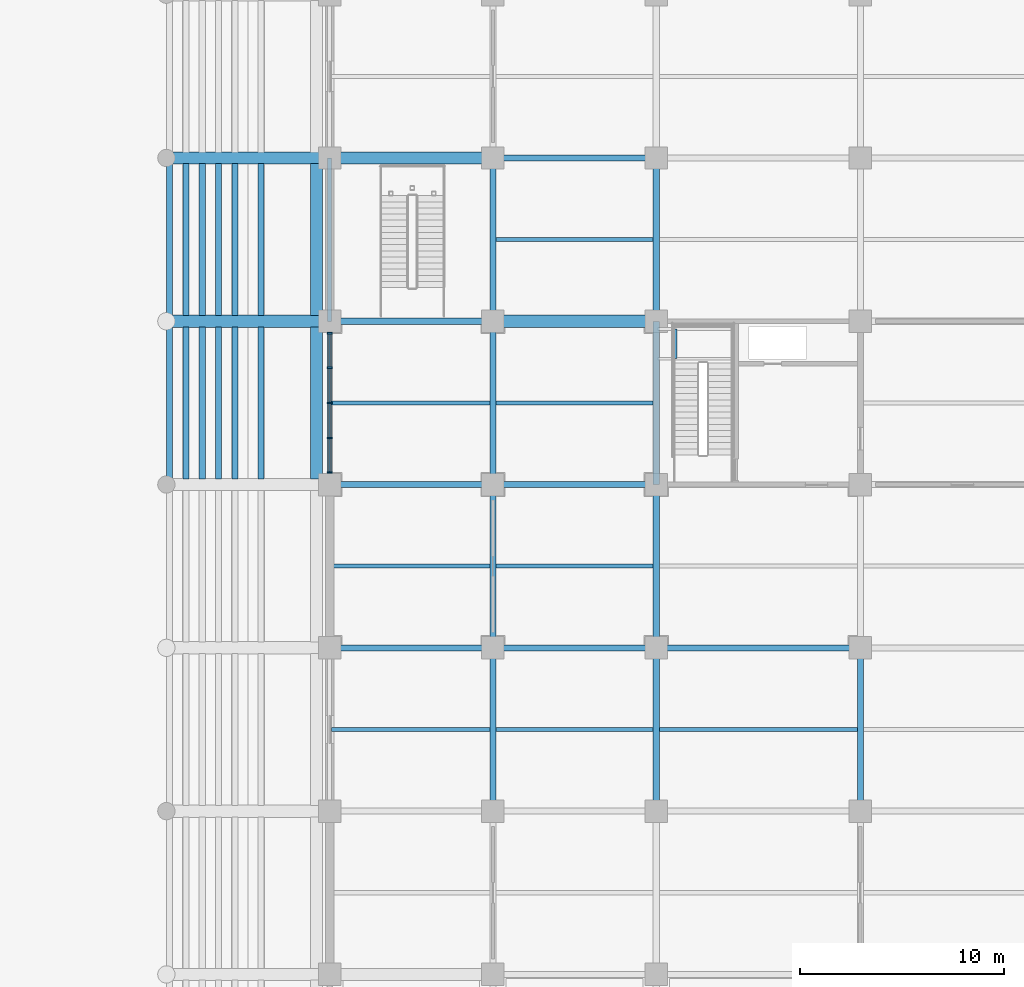
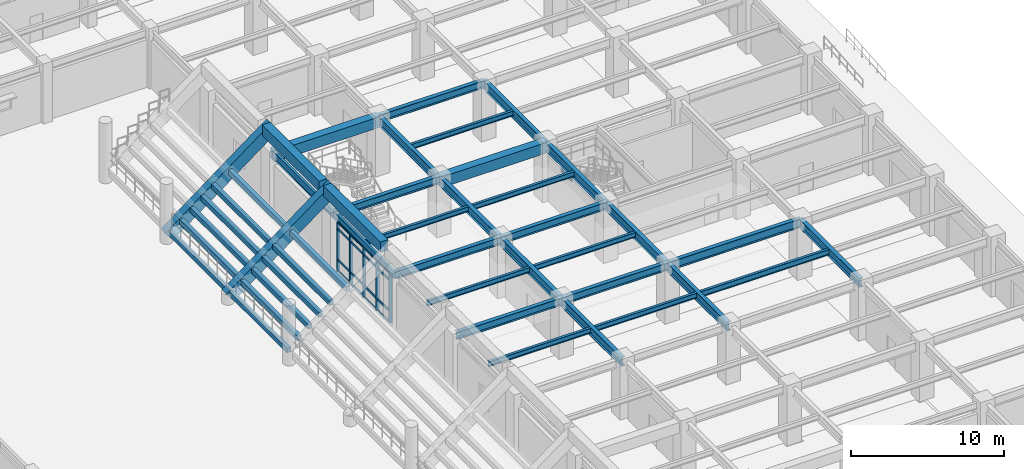
# One storey, part 41 of 125: 45 beams, 21 members, 1 element without a shape of its own.
"""IFC4 building model written with IfcOpenShell, lengths in metres."""

from ifc_helpers import new_model, si_unit, direction, frame, origin, origin_2d, place, context, subcontext, project, spatial, rectangle, i_section, extrude, material, layer, layer_set, material_profile, profile_set, type_object, element, aggregate, save


model = new_model("IFC4")

# Units and contexts
model_context = context("Model", 3, precision=1e-05, world=origin(), true_north=direction((0.0, 1.0)))
body_context = subcontext(model_context, "Body", "Model", "MODEL_VIEW")
ifc_project = project(units=[si_unit("LENGTHUNIT", "METRE"), si_unit("AREAUNIT", "SQUARE_METRE"), si_unit("VOLUMEUNIT", "CUBIC_METRE"), si_unit("PLANEANGLEUNIT", "RADIAN"), si_unit("MASSUNIT", "GRAM", prefix="KILO")], contexts=[model_context])

# Site, building, storey
site_placement = place(None, origin())
site = spatial("IfcSite", under=ifc_project, at=site_placement, CompositionType="ELEMENT")
building_placement = place(site_placement, origin())
building = spatial("IfcBuilding", under=site, at=building_placement, Name="Haebicheon Civic Stadium", CompositionType="ELEMENT")
storey_placement = place(building_placement, origin())
storey = spatial("IfcBuildingStorey", under=building, at=storey_placement, Name="L01", CompositionType="ELEMENT", Elevation=0.0)

# Beams
ifc_material_1 = material(Name="Precast concrete C40/50", Category="concrete")
ifc_material_profile_1 = material_profile(ifc_material_1, rectangle(XDim=0.300048828125, YDim=0.39990234375, at=origin_2d()), Name="PC-LN-300x400")
ifc_profile_set_1 = profile_set([ifc_material_profile_1], Name="Precast concrete C40/50")
beam_type_1 = type_object("IfcBeamType", Name="BM-LN-300x400", PredefinedType="LINTEL", material=ifc_profile_set_1)
for number, where, z_axis, x_axis, name in (
    (1, (192.159912109375, 104.280029296875, 0.760009765625), (0.0, 1.0, 0.0), (-1.0, 0.0, 0.0), "TIER-C-L precast step carrier beam 7.1"),
    (2, (192.9599609375, 104.280029296875, 1.427001953125), (0.0, 1.0, 0.0), (-1.0, 0.0, 0.0), "TIER-C-L precast step carrier beam 7.2"),
    (3, (193.760009765625, 104.280029296875, 2.093017578125), (0.0, 1.0, 0.0), (-1.0, 0.0, 0.0), "TIER-C-L precast step carrier beam 7.3"),
    (4, (194.56005859375, 104.280029296875, 2.760009765625), (0.0, 1.0, 0.0), (-1.0, 0.0, 0.0), "TIER-C-L precast step carrier beam 7.4"),
    (5, (195.360107421875, 104.280029296875, 3.427001953125), (0.0, 1.0, 0.0), (-1.0, 0.0, 0.0), "TIER-C-L precast step carrier beam 7.5"),
    (6, (196.639892578125, 104.280029296875, 4.093017578125), (0.0, 1.0, 0.0), (-1.0, 0.0, 0.0), "TIER-C-L precast step carrier beam 7.6"),
    (7, (192.159912109375, 112.280029296875, 0.760009765625), (0.0, 1.0, 0.0), (-1.0, 0.0, 0.0), "TIER-C-L precast step carrier beam 8.1"),
    (8, (192.9599609375, 112.280029296875, 1.427001953125), (0.0, 1.0, 0.0), (-1.0, 0.0, 0.0), "TIER-C-L precast step carrier beam 8.2"),
    (9, (193.760009765625, 112.280029296875, 2.093017578125), (0.0, 1.0, 0.0), (-1.0, 0.0, 0.0), "TIER-C-L precast step carrier beam 8.3"),
    (10, (194.56005859375, 112.280029296875, 2.760009765625), (0.0, 1.0, 0.0), (-1.0, 0.0, 0.0), "TIER-C-L precast step carrier beam 8.4"),
    (11, (195.360107421875, 112.280029296875, 3.427001953125), (0.0, 1.0, 0.0), (-1.0, 0.0, 0.0), "TIER-C-L precast step carrier beam 8.5"),
    (12, (196.639892578125, 112.280029296875, 4.093017578125), (0.0, 1.0, 0.0), (-1.0, 0.0, 0.0), "TIER-C-L precast step carrier beam 8.6"),
):
    element("IfcBeam", number, at=place(storey_placement, frame(where, z_axis=z_axis, x_axis=x_axis)), inside=storey, type_object=beam_type_1, material=ifc_profile_set_1, Name=name, PredefinedType="LINTEL", context=body_context, shape_type="SweptSolid", body=[
        extrude(rectangle(XDim=0.300048828125, YDim=0.39990234375, at=origin_2d()), origin(), (0.0, 0.0, 1.0), 7.43994140625),
    ])
ifc_material_2 = material(Name="Steel SM355 (S355)", Category="steel")
ifc_material_profile_2 = material_profile(ifc_material_2, i_section(OverallWidth=0.300048828125, OverallDepth=0.60009765625, WebThickness=0.011962890625, FlangeThickness=0.02001953125, at=origin_2d()), Name="H-600x300x12x20")
ifc_profile_set_2 = profile_set([ifc_material_profile_2], Name="Steel SM355 (S355)")
beam_type_2 = type_object("IfcBeamType", Name="BM-ST-H600A", PredefinedType="BEAM", material=ifc_profile_set_2)
for number, where, z_axis, x_axis, name in (
    (13, (200.0, 96.0, 4.219970703125), (1.0, 0.0, 0.0), (0.0, 1.0, 0.0), "L01 beam N/26-27"),
    (14, (200.0, 104.0, 4.219970703125), (1.0, 0.0, 0.0), (0.0, 1.0, 0.0), "L01 beam P/26-27"),
    (15, (200.0, 112.0, 4.219970703125), (1.0, 0.0, 0.0), (0.0, 1.0, 0.0), "L01 beam Q/26-27"),
    (16, (208.0, 96.0, 4.219970703125), (1.0, 0.0, 0.0), (0.0, 1.0, 0.0), "L01 beam N/27-28"),
    (17, (208.0, 104.0, 4.219970703125), (1.0, 0.0, 0.0), (0.0, 1.0, 0.0), "L01 beam P/27-28"),
    (18, (208.0, 120.0, 4.219970703125), (1.0, 0.0, 0.0), (0.0, 1.0, 0.0), "L01 beam R/27-28"),
):
    element("IfcBeam", number, at=place(storey_placement, frame(where, z_axis=z_axis, x_axis=x_axis)), inside=storey, type_object=beam_type_2, material=ifc_profile_set_2, Name=name, PredefinedType="BEAM", context=body_context, shape_type="SweptSolid", body=[
        extrude(i_section(OverallWidth=0.300048828125, OverallDepth=0.60009765625, WebThickness=0.011962890625, FlangeThickness=0.02001953125, at=origin_2d()), origin(), (0.0, 0.0, 1.0), 8.0),
    ])
ifc_material_3 = material(Name="Steel SM490", Category="steel")
ifc_material_profile_3 = material_profile(ifc_material_3, i_section(OverallWidth=0.300048828125, OverallDepth=0.699951171875, WebThickness=0.012939453125, FlangeThickness=0.02392578125, at=origin_2d()), Name="H-700x300x13x24")
ifc_profile_set_3 = profile_set([ifc_material_profile_3], Name="Steel SM490")
beam_type_3 = type_object("IfcBeamType", Name="BM-ST-H700", PredefinedType="BEAM", material=ifc_profile_set_3)
for number, where, z_axis, x_axis, name in (
    (19, (208.0, 88.0, 4.169921875), (0.0, 1.0, 0.0), (-1.0, 0.0, 0.0), "L01 girder 27/M-N"),
    (20, (208.0, 96.0, 4.169921875), (0.0, 1.0, 0.0), (-1.0, 0.0, 0.0), "L01 girder 27/N-P"),
    (21, (208.0, 104.0, 4.169921875), (0.0, 1.0, 0.0), (-1.0, 0.0, 0.0), "L01 girder 27/P-Q"),
    (22, (208.0, 112.0, 4.169921875), (0.0, 1.0, 0.0), (-1.0, 0.0, 0.0), "L01 girder 27/Q-R"),
    (23, (216.0, 88.0, 4.169921875), (0.0, 1.0, 0.0), (-1.0, 0.0, 0.0), "L01 girder 28/M-N"),
    (24, (216.0, 96.0, 4.169921875), (0.0, 1.0, 0.0), (-1.0, 0.0, 0.0), "L01 girder 28/N-P"),
    (25, (216.0, 104.0, 4.169921875), (0.0, 1.0, 0.0), (-1.0, 0.0, 0.0), "L01 girder 28/P-Q"),
    (26, (216.0, 112.0, 4.169921875), (0.0, 1.0, 0.0), (-1.0, 0.0, 0.0), "L01 girder 28/Q-R"),
    (27, (226.0, 88.0, 4.169921875), (0.0, 1.0, 0.0), (-1.0, 0.0, 0.0), "L01 girder 29/M-N"),
):
    element("IfcBeam", number, at=place(storey_placement, frame(where, z_axis=z_axis, x_axis=x_axis)), inside=storey, type_object=beam_type_3, material=ifc_profile_set_3, Name=name, PredefinedType="BEAM", context=body_context, shape_type="SweptSolid", body=[
        extrude(i_section(OverallWidth=0.300048828125, OverallDepth=0.699951171875, WebThickness=0.012939453125, FlangeThickness=0.02392578125, at=origin_2d()), origin(), (0.0, 0.0, 1.0), 8.0),
    ])
beam_1_placement = place(storey_placement, frame((216.0, 96.0, 4.169921875), z_axis=(1.0, 0.0, 0.0), x_axis=(0.0, 1.0, 0.0)))
element("IfcBeam", 28, at=beam_1_placement, inside=storey, type_object=beam_type_3, material=ifc_profile_set_3, Name="L01 beam N/28-29", PredefinedType="BEAM", context=body_context, shape_type="SweptSolid", body=[
    extrude(i_section(OverallWidth=0.300048828125, OverallDepth=0.699951171875, WebThickness=0.012939453125, FlangeThickness=0.02392578125, at=origin_2d()), origin(), (0.0, 0.0, 1.0), 10.0),
])
ifc_material_4 = material(Name="Precast concrete C40/50", Category="concrete")
ifc_material_profile_4 = material_profile(ifc_material_4, rectangle(XDim=0.60009765625, YDim=0.85009765625, at=origin_2d()), Name="PC-TB-600x850")
ifc_profile_set_4 = profile_set([ifc_material_profile_4], Name="Precast concrete C40/50")
beam_type_4 = type_object("IfcBeamType", Name="BM-TB-600x850", PredefinedType="T_BEAM", material=ifc_profile_set_4)
for number, where, z_axis, x_axis, name in (
    (29, (200.0, 120.0, 4.094970703125), (1.0, 0.0, 0.0), (0.0, 1.0, 0.0), "L01 beam R/26-27"),
    (30, (208.0, 112.0, 4.094970703125), (1.0, 0.0, 0.0), (0.0, 1.0, 0.0), "L01 beam Q/27-28"),
):
    element("IfcBeam", number, at=place(storey_placement, frame(where, z_axis=z_axis, x_axis=x_axis)), inside=storey, type_object=beam_type_4, material=ifc_profile_set_4, Name=name, PredefinedType="T_BEAM", context=body_context, shape_type="SweptSolid", body=[
        extrude(rectangle(XDim=0.60009765625, YDim=0.85009765625, at=origin_2d()), origin(), (0.0, 0.0, 1.0), 8.0),
    ])
for number, where, z_axis, x_axis, name in (
    (31, (199.360107421875, 104.280029296875, 6.534912109375), (0.0, 1.0, 0.0), (-1.0, 0.0, 0.0), "TIER-C-L upper tier bench carrier beam 7"),
    (32, (199.360107421875, 112.280029296875, 6.534912109375), (0.0, 1.0, 0.0), (-1.0, 0.0, 0.0), "TIER-C-L upper tier bench carrier beam 8"),
):
    element("IfcBeam", number, at=place(storey_placement, frame(where, z_axis=z_axis, x_axis=x_axis)), inside=storey, type_object=beam_type_4, material=ifc_profile_set_4, Name=name, PredefinedType="T_BEAM", context=body_context, shape_type="SweptSolid", body=[
        extrude(rectangle(XDim=0.60009765625, YDim=0.85009765625, at=origin_2d()), origin(), (0.0, 0.0, 1.0), 7.43994140625),
    ])

# Curtain wall, members
ifc_material_5 = material(Name="Anodised aluminium and laminated glass", Category="aluminium")
ifc_layer = layer(ifc_material_5, 0.179931640625, Name="Anodised aluminium and laminated glass")
ifc_layer_set = layer_set([ifc_layer], Name="Anodised aluminium and laminated glass")
curtain_wall_type = type_object("IfcCurtainWallType", Name="CW-6900x3910", PredefinedType="NOTDEFINED", material=ifc_layer_set)
curtain_wall_placement = place(storey_placement, origin())
curtain_wall = element("IfcCurtainWall", 33, at=curtain_wall_placement, inside=storey, type_object=curtain_wall_type, material=ifc_layer_set, Name="L01 unitised curtain wall 026", PredefinedType="NOTDEFINED")
ifc_material_6 = material(Name="Anodised aluminium 6063-T6", Category="aluminium")
ifc_material_profile_5 = material_profile(ifc_material_6, rectangle(XDim=0.080078125, YDim=0.239990234375, at=origin_2d()), Name="ALU-MULL-80x240")
ifc_profile_set_5 = profile_set([ifc_material_profile_5], Name="Anodised aluminium 6063-T6")
member_type_1 = type_object("IfcMemberType", Name="CWM-240x80", PredefinedType="MULLION", material=ifc_profile_set_5)
member_1_placement = place(storey_placement, frame((200.0, 104.590087890625, 0.0), z_axis=(0.0, 0.0, 1.0), x_axis=(0.0, 1.0, 0.0)))
member_1 = element("IfcMember", 34, at=member_1_placement, type_object=member_type_1, material=ifc_profile_set_5, Name="CW-L01-026 vertical mullion 1", PredefinedType="MULLION", context=body_context, shape_type="SweptSolid", body=[
    extrude(rectangle(XDim=0.080078125, YDim=0.239990234375, at=origin_2d()), origin(), (0.0, 0.0, 1.0), 3.909912109375),
])
member_2_placement = place(storey_placement, frame((200.0, 106.27490234375, 0.0), z_axis=(0.0, 0.0, 1.0), x_axis=(0.0, 1.0, 0.0)))
member_2 = element("IfcMember", 35, at=member_2_placement, type_object=member_type_1, material=ifc_profile_set_5, Name="CW-L01-026 vertical mullion 2", PredefinedType="MULLION", context=body_context, shape_type="SweptSolid", body=[
    extrude(rectangle(XDim=0.080078125, YDim=0.239990234375, at=origin_2d()), origin(), (0.0, 0.0, 1.0), 3.909912109375),
])
member_3_placement = place(storey_placement, frame((200.0, 108.0, 0.0), z_axis=(0.0, 0.0, 1.0), x_axis=(0.0, 1.0, 0.0)))
member_3 = element("IfcMember", 36, at=member_3_placement, type_object=member_type_1, material=ifc_profile_set_5, Name="CW-L01-026 vertical mullion 3", PredefinedType="MULLION", context=body_context, shape_type="SweptSolid", body=[
    extrude(rectangle(XDim=0.080078125, YDim=0.239990234375, at=origin_2d()), origin(), (0.0, 0.0, 1.0), 3.909912109375),
])
member_4_placement = place(storey_placement, frame((200.0, 109.72509765625, 0.0), z_axis=(0.0, 0.0, 1.0), x_axis=(0.0, 1.0, 0.0)))
member_4 = element("IfcMember", 37, at=member_4_placement, type_object=member_type_1, material=ifc_profile_set_5, Name="CW-L01-026 vertical mullion 4", PredefinedType="MULLION", context=body_context, shape_type="SweptSolid", body=[
    extrude(rectangle(XDim=0.080078125, YDim=0.239990234375, at=origin_2d()), origin(), (0.0, 0.0, 1.0), 3.909912109375),
])
member_5_placement = place(storey_placement, frame((200.0, 111.409912109375, 0.0), z_axis=(0.0, 0.0, 1.0), x_axis=(0.0, 1.0, 0.0)))
member_5 = element("IfcMember", 38, at=member_5_placement, type_object=member_type_1, material=ifc_profile_set_5, Name="CW-L01-026 vertical mullion 5", PredefinedType="MULLION", context=body_context, shape_type="SweptSolid", body=[
    extrude(rectangle(XDim=0.080078125, YDim=0.239990234375, at=origin_2d()), origin(), (0.0, 0.0, 1.0), 3.909912109375),
])
ifc_material_7 = material(Name="Anodised aluminium 6063-T6", Category="aluminium")
ifc_material_profile_6 = material_profile(ifc_material_7, rectangle(XDim=0.080078125, YDim=0.179931640625, at=origin_2d()), Name="ALU-TRAN-80x180")
ifc_profile_set_6 = profile_set([ifc_material_profile_6], Name="Anodised aluminium 6063-T6")
member_type_2 = type_object("IfcMemberType", Name="CWT-180x80", PredefinedType="NOTDEFINED", material=ifc_profile_set_6)
member_6_placement = place(storey_placement, frame((200.0, 104.6298828125, 0.0), z_axis=(0.0, 1.0, 0.0), x_axis=(-1.0, 0.0, 0.0)))
member_6 = element("IfcMember", 39, at=member_6_placement, type_object=member_type_2, material=ifc_profile_set_6, Name="CW-L01-026 horizontal transom 1.1", ObjectType="TRANSOM", PredefinedType="USERDEFINED", context=body_context, shape_type="SweptSolid", body=[
    extrude(rectangle(XDim=0.080078125, YDim=0.179931640625, at=origin_2d()), origin(), (0.0, 0.0, 1.0), 1.605224609375),
])
member_7_placement = place(storey_placement, frame((200.0, 104.6298828125, 0.89990234375), z_axis=(0.0, 1.0, 0.0), x_axis=(-1.0, 0.0, 0.0)))
member_7 = element("IfcMember", 40, at=member_7_placement, type_object=member_type_2, material=ifc_profile_set_6, Name="CW-L01-026 horizontal transom 1.2", ObjectType="TRANSOM", PredefinedType="USERDEFINED", context=body_context, shape_type="SweptSolid", body=[
    extrude(rectangle(XDim=0.080078125, YDim=0.179931640625, at=origin_2d()), origin(), (0.0, 0.0, 1.0), 1.605224609375),
])
member_8_placement = place(storey_placement, frame((200.0, 104.6298828125, 3.360107421875), z_axis=(0.0, 1.0, 0.0), x_axis=(-1.0, 0.0, 0.0)))
member_8 = element("IfcMember", 41, at=member_8_placement, type_object=member_type_2, material=ifc_profile_set_6, Name="CW-L01-026 horizontal transom 1.3", ObjectType="TRANSOM", PredefinedType="USERDEFINED", context=body_context, shape_type="SweptSolid", body=[
    extrude(rectangle(XDim=0.080078125, YDim=0.179931640625, at=origin_2d()), origin(), (0.0, 0.0, 1.0), 1.605224609375),
])
member_9_placement = place(storey_placement, frame((200.0, 104.6298828125, 3.909912109375), z_axis=(0.0, 1.0, 0.0), x_axis=(-1.0, 0.0, 0.0)))
member_9 = element("IfcMember", 42, at=member_9_placement, type_object=member_type_2, material=ifc_profile_set_6, Name="CW-L01-026 horizontal transom 1.4", ObjectType="TRANSOM", PredefinedType="USERDEFINED", context=body_context, shape_type="SweptSolid", body=[
    extrude(rectangle(XDim=0.080078125, YDim=0.179931640625, at=origin_2d()), origin(), (0.0, 0.0, 1.0), 1.605224609375),
])
member_10_placement = place(storey_placement, frame((200.0, 106.31494140625, 0.0), z_axis=(0.0, 1.0, 0.0), x_axis=(-1.0, 0.0, 0.0)))
member_10 = element("IfcMember", 43, at=member_10_placement, type_object=member_type_2, material=ifc_profile_set_6, Name="CW-L01-026 horizontal transom 2.1", ObjectType="TRANSOM", PredefinedType="USERDEFINED", context=body_context, shape_type="SweptSolid", body=[
    extrude(rectangle(XDim=0.080078125, YDim=0.179931640625, at=origin_2d()), origin(), (0.0, 0.0, 1.0), 1.64501953125),
])
member_11_placement = place(storey_placement, frame((200.0, 106.31494140625, 0.89990234375), z_axis=(0.0, 1.0, 0.0), x_axis=(-1.0, 0.0, 0.0)))
member_11 = element("IfcMember", 44, at=member_11_placement, type_object=member_type_2, material=ifc_profile_set_6, Name="CW-L01-026 horizontal transom 2.2", ObjectType="TRANSOM", PredefinedType="USERDEFINED", context=body_context, shape_type="SweptSolid", body=[
    extrude(rectangle(XDim=0.080078125, YDim=0.179931640625, at=origin_2d()), origin(), (0.0, 0.0, 1.0), 1.64501953125),
])
member_12_placement = place(storey_placement, frame((200.0, 106.31494140625, 3.360107421875), z_axis=(0.0, 1.0, 0.0), x_axis=(-1.0, 0.0, 0.0)))
member_12 = element("IfcMember", 45, at=member_12_placement, type_object=member_type_2, material=ifc_profile_set_6, Name="CW-L01-026 horizontal transom 2.3", ObjectType="TRANSOM", PredefinedType="USERDEFINED", context=body_context, shape_type="SweptSolid", body=[
    extrude(rectangle(XDim=0.080078125, YDim=0.179931640625, at=origin_2d()), origin(), (0.0, 0.0, 1.0), 1.64501953125),
])
member_13_placement = place(storey_placement, frame((200.0, 106.31494140625, 3.909912109375), z_axis=(0.0, 1.0, 0.0), x_axis=(-1.0, 0.0, 0.0)))
member_13 = element("IfcMember", 46, at=member_13_placement, type_object=member_type_2, material=ifc_profile_set_6, Name="CW-L01-026 horizontal transom 2.4", ObjectType="TRANSOM", PredefinedType="USERDEFINED", context=body_context, shape_type="SweptSolid", body=[
    extrude(rectangle(XDim=0.080078125, YDim=0.179931640625, at=origin_2d()), origin(), (0.0, 0.0, 1.0), 1.64501953125),
])
member_14_placement = place(storey_placement, frame((200.0, 108.0400390625, 0.0), z_axis=(0.0, 1.0, 0.0), x_axis=(-1.0, 0.0, 0.0)))
member_14 = element("IfcMember", 47, at=member_14_placement, type_object=member_type_2, material=ifc_profile_set_6, Name="CW-L01-026 horizontal transom 3.1", ObjectType="TRANSOM", PredefinedType="USERDEFINED", context=body_context, shape_type="SweptSolid", body=[
    extrude(rectangle(XDim=0.080078125, YDim=0.179931640625, at=origin_2d()), origin(), (0.0, 0.0, 1.0), 1.64501953125),
])
member_15_placement = place(storey_placement, frame((200.0, 108.0400390625, 0.89990234375), z_axis=(0.0, 1.0, 0.0), x_axis=(-1.0, 0.0, 0.0)))
member_15 = element("IfcMember", 48, at=member_15_placement, type_object=member_type_2, material=ifc_profile_set_6, Name="CW-L01-026 horizontal transom 3.2", ObjectType="TRANSOM", PredefinedType="USERDEFINED", context=body_context, shape_type="SweptSolid", body=[
    extrude(rectangle(XDim=0.080078125, YDim=0.179931640625, at=origin_2d()), origin(), (0.0, 0.0, 1.0), 1.64501953125),
])
member_16_placement = place(storey_placement, frame((200.0, 108.0400390625, 3.360107421875), z_axis=(0.0, 1.0, 0.0), x_axis=(-1.0, 0.0, 0.0)))
member_16 = element("IfcMember", 49, at=member_16_placement, type_object=member_type_2, material=ifc_profile_set_6, Name="CW-L01-026 horizontal transom 3.3", ObjectType="TRANSOM", PredefinedType="USERDEFINED", context=body_context, shape_type="SweptSolid", body=[
    extrude(rectangle(XDim=0.080078125, YDim=0.179931640625, at=origin_2d()), origin(), (0.0, 0.0, 1.0), 1.64501953125),
])
member_17_placement = place(storey_placement, frame((200.0, 108.0400390625, 3.909912109375), z_axis=(0.0, 1.0, 0.0), x_axis=(-1.0, 0.0, 0.0)))
member_17 = element("IfcMember", 50, at=member_17_placement, type_object=member_type_2, material=ifc_profile_set_6, Name="CW-L01-026 horizontal transom 3.4", ObjectType="TRANSOM", PredefinedType="USERDEFINED", context=body_context, shape_type="SweptSolid", body=[
    extrude(rectangle(XDim=0.080078125, YDim=0.179931640625, at=origin_2d()), origin(), (0.0, 0.0, 1.0), 1.64501953125),
])
member_18_placement = place(storey_placement, frame((200.0, 109.764892578125, 0.0), z_axis=(0.0, 1.0, 0.0), x_axis=(-1.0, 0.0, 0.0)))
member_18 = element("IfcMember", 51, at=member_18_placement, type_object=member_type_2, material=ifc_profile_set_6, Name="CW-L01-026 horizontal transom 4.1", ObjectType="TRANSOM", PredefinedType="USERDEFINED", context=body_context, shape_type="SweptSolid", body=[
    extrude(rectangle(XDim=0.080078125, YDim=0.179931640625, at=origin_2d()), origin(), (0.0, 0.0, 1.0), 1.605224609375),
])
member_19_placement = place(storey_placement, frame((200.0, 109.764892578125, 0.89990234375), z_axis=(0.0, 1.0, 0.0), x_axis=(-1.0, 0.0, 0.0)))
member_19 = element("IfcMember", 52, at=member_19_placement, type_object=member_type_2, material=ifc_profile_set_6, Name="CW-L01-026 horizontal transom 4.2", ObjectType="TRANSOM", PredefinedType="USERDEFINED", context=body_context, shape_type="SweptSolid", body=[
    extrude(rectangle(XDim=0.080078125, YDim=0.179931640625, at=origin_2d()), origin(), (0.0, 0.0, 1.0), 1.605224609375),
])
member_20_placement = place(storey_placement, frame((200.0, 109.764892578125, 3.360107421875), z_axis=(0.0, 1.0, 0.0), x_axis=(-1.0, 0.0, 0.0)))
member_20 = element("IfcMember", 53, at=member_20_placement, type_object=member_type_2, material=ifc_profile_set_6, Name="CW-L01-026 horizontal transom 4.3", ObjectType="TRANSOM", PredefinedType="USERDEFINED", context=body_context, shape_type="SweptSolid", body=[
    extrude(rectangle(XDim=0.080078125, YDim=0.179931640625, at=origin_2d()), origin(), (0.0, 0.0, 1.0), 1.605224609375),
])
member_21_placement = place(storey_placement, frame((200.0, 109.764892578125, 3.909912109375), z_axis=(0.0, 1.0, 0.0), x_axis=(-1.0, 0.0, 0.0)))
member_21 = element("IfcMember", 54, at=member_21_placement, type_object=member_type_2, material=ifc_profile_set_6, Name="CW-L01-026 horizontal transom 4.4", ObjectType="TRANSOM", PredefinedType="USERDEFINED", context=body_context, shape_type="SweptSolid", body=[
    extrude(rectangle(XDim=0.080078125, YDim=0.179931640625, at=origin_2d()), origin(), (0.0, 0.0, 1.0), 1.605224609375),
])
aggregate(curtain_wall, [member_1, member_2, member_3, member_4, member_5, member_6, member_7, member_8, member_9, member_10, member_11, member_12, member_13, member_14, member_15, member_16, member_17, member_18, member_19, member_20, member_21])

# Beams
ifc_material_8 = material(Name="Steel SM355 (S355)", Category="steel")
ifc_material_profile_7 = material_profile(ifc_material_8, i_section(OverallWidth=0.125, OverallDepth=0.25, WebThickness=0.006103515625, FlangeThickness=0.009033203125, at=origin_2d()), Name="H-250x125x6x9")
ifc_profile_set_7 = profile_set([ifc_material_profile_7], Name="Steel SM355 (S355)")
beam_type_5 = type_object("IfcBeamType", Name="JST-ST-H250", PredefinedType="JOIST", material=ifc_profile_set_7)
beam_2_placement = place(storey_placement, frame((216.9599609375, 110.169921875, 2.072021484375), z_axis=(0.0, 1.0, 0.0), x_axis=(-1.0, 0.0, 0.0)))
element("IfcBeam", 55, at=beam_2_placement, inside=storey, type_object=beam_type_5, material=ifc_profile_set_7, Name="KC-13 L01 stair half-landing transverse tie beam", PredefinedType="JOIST", context=body_context, shape_type="SweptSolid", body=[
    extrude(i_section(OverallWidth=0.125, OverallDepth=0.25, WebThickness=0.006103515625, FlangeThickness=0.009033203125, at=origin_2d()), origin(), (0.0, 0.0, 1.0), 1.4501953125),
])
ifc_material_9 = material(Name="Steel SM355 (S355)", Category="steel")
ifc_material_profile_8 = material_profile(ifc_material_9, i_section(OverallWidth=0.199951171875, OverallDepth=0.39990234375, WebThickness=0.008056640625, FlangeThickness=0.012939453125, at=origin_2d()), Name="H-400x200x8x13")
ifc_profile_set_8 = profile_set([ifc_material_profile_8], Name="Steel SM355 (S355)")
beam_type_6 = type_object("IfcBeamType", Name="JST-ST-H400", PredefinedType="JOIST", material=ifc_profile_set_8)
for number, where, z_axis, x_axis, name in (
    (56, (200.10009765625, 92.0, 4.320068359375), (1.0, 0.0, 0.0), (0.0, 1.0, 0.0), "L01 secondary joist 25-11"),
    (57, (200.10009765625, 100.0, 4.320068359375), (1.0, 0.0, 0.0), (0.0, 1.0, 0.0), "L01 secondary joist 25-12"),
    (58, (200.10009765625, 108.0, 4.320068359375), (1.0, 0.0, 0.0), (0.0, 1.0, 0.0), "L01 secondary joist 25-13"),
):
    element("IfcBeam", number, at=place(storey_placement, frame(where, z_axis=z_axis, x_axis=x_axis)), inside=storey, type_object=beam_type_6, material=ifc_profile_set_8, Name=name, PredefinedType="JOIST", context=body_context, shape_type="SweptSolid", body=[
        extrude(i_section(OverallWidth=0.199951171875, OverallDepth=0.39990234375, WebThickness=0.008056640625, FlangeThickness=0.012939453125, at=origin_2d()), origin(), (0.0, 0.0, 1.0), 7.75),
    ])
for number, where, z_axis, x_axis, name in (
    (59, (208.14990234375, 92.0, 4.320068359375), (1.0, 0.0, 0.0), (0.0, 1.0, 0.0), "L01 secondary joist 26-11"),
    (60, (208.14990234375, 100.0, 4.320068359375), (1.0, 0.0, 0.0), (0.0, 1.0, 0.0), "L01 secondary joist 26-12"),
    (61, (208.14990234375, 108.0, 4.320068359375), (1.0, 0.0, 0.0), (0.0, 1.0, 0.0), "L01 secondary joist 26-13"),
    (62, (208.14990234375, 116.0, 4.320068359375), (1.0, 0.0, 0.0), (0.0, 1.0, 0.0), "L01 secondary joist 26-14"),
):
    element("IfcBeam", number, at=place(storey_placement, frame(where, z_axis=z_axis, x_axis=x_axis)), inside=storey, type_object=beam_type_6, material=ifc_profile_set_8, Name=name, PredefinedType="JOIST", context=body_context, shape_type="SweptSolid", body=[
        extrude(i_section(OverallWidth=0.199951171875, OverallDepth=0.39990234375, WebThickness=0.008056640625, FlangeThickness=0.012939453125, at=origin_2d()), origin(), (0.0, 0.0, 1.0), 7.7001953125),
    ])
ifc_material_10 = material(Name="Steel SM355 (S355)", Category="steel")
ifc_material_profile_9 = material_profile(ifc_material_10, i_section(OverallWidth=0.199951171875, OverallDepth=0.449951171875, WebThickness=0.009033203125, FlangeThickness=0.013916015625, at=origin_2d()), Name="H-450x200x9x14")
ifc_profile_set_9 = profile_set([ifc_material_profile_9], Name="Steel SM355 (S355)")
beam_type_7 = type_object("IfcBeamType", Name="JST-ST-H450", PredefinedType="JOIST", material=ifc_profile_set_9)
beam_3_placement = place(storey_placement, frame((216.14990234375, 92.0, 4.294921875), z_axis=(1.0, 0.0, 0.0), x_axis=(0.0, 1.0, 0.0)))
element("IfcBeam", 63, at=beam_3_placement, inside=storey, type_object=beam_type_7, material=ifc_profile_set_9, Name="L01 secondary joist 27-11", PredefinedType="JOIST", context=body_context, shape_type="SweptSolid", body=[
    extrude(i_section(OverallWidth=0.199951171875, OverallDepth=0.449951171875, WebThickness=0.009033203125, FlangeThickness=0.013916015625, at=origin_2d()), origin(), (0.0, 0.0, 1.0), 9.7001953125),
])
ifc_material_11 = material(Name="Precast concrete C40/50", Category="concrete")
ifc_material_profile_10 = material_profile(ifc_material_11, rectangle(XDim=0.60009765625, YDim=0.949951171875, at=origin_2d()), Name="PC-RK-600x950")
ifc_profile_set_10 = profile_set([ifc_material_profile_10], Name="Precast concrete C40/50")
beam_type_8 = type_object("IfcBeamType", Name="RK-PC-600x950", PredefinedType="USERDEFINED", material=ifc_profile_set_10)
for number, where, z_axis, x_axis, name in (
    (64, (192.0, 112.0, 0.485107421875), (0.8, 0.0, 0.6), (0.0, 1.0, 0.0), "TIER-C-L inclined precast raker beam 8"),
    (65, (192.0, 120.0, 0.485107421875), (0.8, 0.0, 0.6), (0.0, 1.0, 0.0), "TIER-C-L inclined precast raker beam 9"),
):
    element("IfcBeam", number, at=place(storey_placement, frame(where, z_axis=z_axis, x_axis=x_axis)), inside=storey, type_object=beam_type_8, material=ifc_profile_set_10, Name=name, ObjectType="RAKER BEAM", PredefinedType="USERDEFINED", context=body_context, shape_type="SweptSolid", body=[
        extrude(rectangle(XDim=0.60009765625, YDim=0.949951171875, at=origin_2d()), origin(), (0.0, 0.0, 1.0), 10.0),
    ])
ifc_material_12 = material(Name="Steel SM355 (S355)", Category="steel")
ifc_material_profile_11 = material_profile(ifc_material_12, i_section(OverallWidth=0.199951171875, OverallDepth=0.60009765625, WebThickness=0.010986328125, FlangeThickness=0.01708984375, at=origin_2d()), Name="H-600x200x11x17")
ifc_profile_set_11 = profile_set([ifc_material_profile_11], Name="Steel SM355 (S355)")
beam_type_9 = type_object("IfcBeamType", Name="SPD-ST-H600B", PredefinedType="SPANDREL", material=ifc_profile_set_11)
for number, where, z_axis, x_axis, name in (
    (66, (200.0, 104.0, 4.219970703125), (0.0, 1.0, 0.0), (-1.0, 0.0, 0.0), "L01 girder 26/P-Q"),
    (67, (200.0, 112.0, 4.219970703125), (0.0, 1.0, 0.0), (-1.0, 0.0, 0.0), "L01 girder 26/Q-R"),
):
    element("IfcBeam", number, at=place(storey_placement, frame(where, z_axis=z_axis, x_axis=x_axis)), inside=storey, type_object=beam_type_9, material=ifc_profile_set_11, Name=name, PredefinedType="SPANDREL", context=body_context, shape_type="SweptSolid", body=[
        extrude(i_section(OverallWidth=0.199951171875, OverallDepth=0.60009765625, WebThickness=0.010986328125, FlangeThickness=0.01708984375, at=origin_2d()), origin(), (0.0, 0.0, 1.0), 8.0),
    ])

save(model, "model.ifc")
